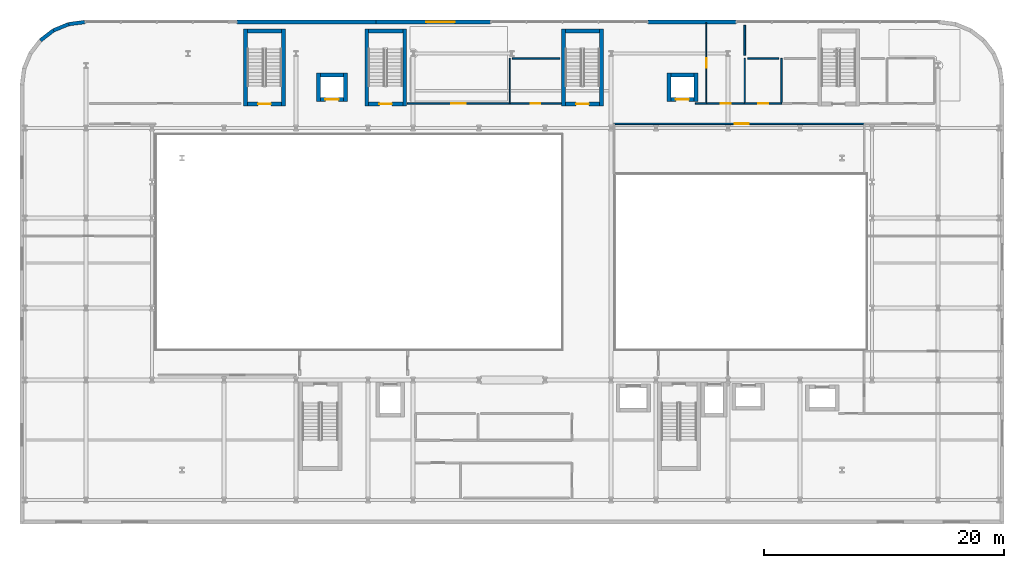
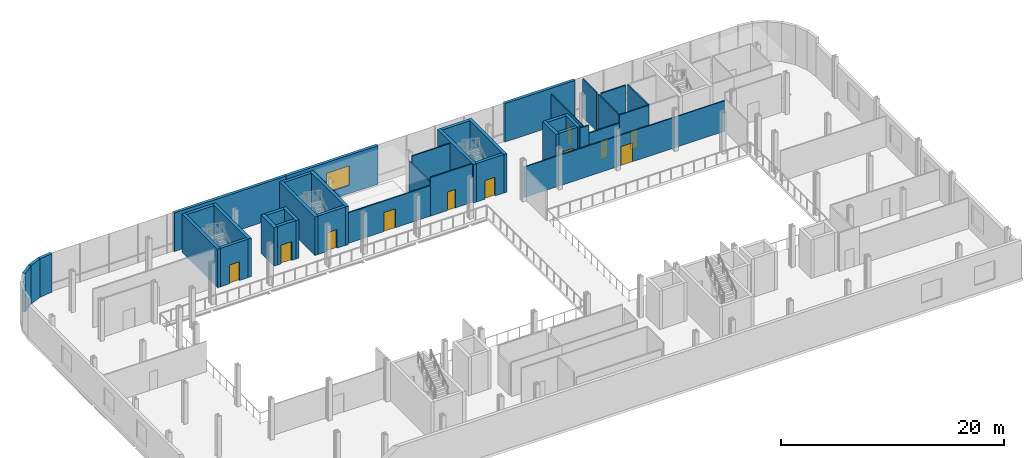
# One storey, part 18 of 25: 39 walls, 11 doors, 1 window, 12 openings.
"""IFC4 building model written with IfcOpenShell, lengths in metres."""

import ifcopenshell
import ifcopenshell.guid

model = None  # the IFC model being written
_history = None  # IfcOwnerHistory: only IFC2X3 demands one
_inside = {}  # id of a spatial element -> (the spatial element, [elements in it])
_under = {}  # id of a project, library or spatial element -> (it, [spatial elements below it])
_declared = {}  # id of a project -> (the project, [libraries it declares])
_typed = {}  # id of a type object -> (the type object, [elements of that type])
_made_of = {}  # id of a material, layer set ... -> (it, [elements and type objects made of it])


def new_model(schema):
    """Start an empty IFC model of exactly this schema.

    Asked for "IFC4X3", IfcOpenShell would pick the latest addendum, in which some entities
    have other attributes; the version numbers below select the first issue.
    IFC2X3 requires an IfcOwnerHistory on every rooted entity: one is made here for all.
    """
    global model, _history
    if schema == "IFC4X3":
        model = ifcopenshell.file(schema_version=(4, 3, 0, 0))
    else:
        model = ifcopenshell.file(schema=schema)
    _inside.clear()
    _under.clear()
    _declared.clear()
    _typed.clear()
    _made_of.clear()
    _history = None
    if model.schema == "IFC2X3":
        org = make("IfcOrganization", Name="unknown")
        user = make(
            "IfcPersonAndOrganization",
            ThePerson=make("IfcPerson", FamilyName="unknown"),
            TheOrganization=org,
        )
        app = make(
            "IfcApplication",
            ApplicationDeveloper=org,
            Version="unknown",
            ApplicationFullName="unknown",
            ApplicationIdentifier="unknown",
        )
        _history = make(
            "IfcOwnerHistory",
            OwningUser=user,
            OwningApplication=app,
            ChangeAction="ADDED",
            CreationDate=0,
        )
    return model


def make(cls, **values):
    """One entity of the class cls with the attributes given. An attribute that is None is left unset."""
    return model.create_entity(
        cls, **{name: value for name, value in values.items() if value is not None}
    )


def rooted(cls, **values):
    """An entity with a GlobalId (a new one), such as an element, a storey or a relation."""
    return make(cls, GlobalId=ifcopenshell.guid.new(), OwnerHistory=_history, **values)


def si_unit(unit_type, name, prefix=None):
    """IfcSIUnit, for example si_unit("LENGTHUNIT", "METRE", prefix="MILLI")."""
    return make("IfcSIUnit", UnitType=unit_type, Prefix=prefix, Name=name)


def assignment(units):
    """IfcUnitAssignment: the units of a project."""
    return None if units is None else make("IfcUnitAssignment", Units=units)


def point(xyz):
    """IfcCartesianPoint."""
    return None if xyz is None else make("IfcCartesianPoint", Coordinates=xyz)


def direction(xyz):
    """IfcDirection."""
    return None if xyz is None else make("IfcDirection", DirectionRatios=xyz)


def frame(location, z_axis=None, x_axis=None):
    """IfcAxis2Placement3D, a coordinate frame: its origin and axes. An axis left out is left unset."""
    return make(
        "IfcAxis2Placement3D",
        Location=point(location),
        Axis=direction(z_axis),
        RefDirection=direction(x_axis),
    )


def frame_2d(location, x_axis=None):
    """IfcAxis2Placement2D, a coordinate frame in the plane: its origin and x axis."""
    return make(
        "IfcAxis2Placement2D", Location=point(location), RefDirection=direction(x_axis)
    )


def origin():
    """The frame at (0, 0, 0) with its axes left unset."""
    return frame((0.0, 0.0, 0.0))


def place(relative_to, where):
    """IfcLocalPlacement: puts the frame where relative to a parent placement (None: the world)."""
    return make(
        "IfcLocalPlacement", PlacementRelTo=relative_to, RelativePlacement=where
    )


def context(
    kind, dimensions, precision=None, world=None, true_north=None, identifier=None
):
    """IfcGeometricRepresentationContext, for example the 3D "Model" context."""
    return make(
        "IfcGeometricRepresentationContext",
        ContextIdentifier=identifier,
        ContextType=kind,
        CoordinateSpaceDimension=dimensions,
        Precision=precision,
        WorldCoordinateSystem=world,
        TrueNorth=true_north,
    )


def subcontext(parent, identifier, kind, view, scale=None):
    """IfcGeometricRepresentationSubContext, for example "Body" below "Model"."""
    return make(
        "IfcGeometricRepresentationSubContext",
        ContextIdentifier=identifier,
        ContextType=kind,
        ParentContext=parent,
        TargetScale=scale,
        TargetView=view,
    )


def project(units=None, contexts=None):
    """IfcProject with its units and contexts."""
    return rooted(
        "IfcProject",
        Name="project",
        RepresentationContexts=contexts,
        UnitsInContext=assignment(units),
    )


def spatial(cls, under=None, at=None, **own):
    """A site, building, storey or space (cls), placed at a placement, below another one or the project."""
    s = rooted(cls, ObjectPlacement=at, **own)
    if under is not None:
        _under.setdefault(under.id(), (under, []))[1].append(s)
    return s


def profile(cls, at=None, kind="AREA", **sizes):
    """A parametric profile (cls). Its sizes go by their IFC names, for example OverallWidth=200.0."""
    return make(cls, ProfileType=kind, Position=at, **sizes)


def rectangle(**sizes):
    """IfcRectangleProfileDef."""
    return profile("IfcRectangleProfileDef", **sizes)


def extrude(swept, where, along, depth):
    """IfcExtrudedAreaSolid: the profile swept, set in the frame where, extruded along a direction by depth."""
    return make(
        "IfcExtrudedAreaSolid",
        SweptArea=swept,
        Position=where,
        ExtrudedDirection=direction(along),
        Depth=depth,
    )


def shape(context_of_items, identifier, shape_type, items):
    """IfcShapeRepresentation: the items that make up one representation, for example the "Body"."""
    return make(
        "IfcShapeRepresentation",
        ContextOfItems=context_of_items,
        RepresentationIdentifier=identifier,
        RepresentationType=shape_type,
        Items=items,
    )


def material(Name=None, Category=None):
    """IfcMaterial."""
    return make("IfcMaterial", Name=Name, Category=Category)


def layer(
    of_material, thickness, ventilated=None, Name=None, Category=None, Priority=None
):
    """IfcMaterialLayer: one layer of a wall or slab, of a material (None: an air gap)."""
    return make(
        "IfcMaterialLayer",
        Material=of_material,
        LayerThickness=thickness,
        IsVentilated=ventilated,
        Name=Name,
        Category=Category,
        Priority=Priority,
    )


def layer_set(layers, Name=None):
    """IfcMaterialLayerSet."""
    return make("IfcMaterialLayerSet", MaterialLayers=layers, LayerSetName=Name)


def made_of(thing, what):
    """Note that an element or type object is made of a material, layer set ...; save() writes the relation."""
    if what is not None:
        _made_of.setdefault(what.id(), (what, []))[1].append(thing)
    return thing


def type_object(cls, material=None, **own):
    """A type object (cls), such as IfcWallType, which elements share."""
    return made_of(rooted(cls, **own), material)


def element(
    cls,
    number,
    at=None,
    inside=None,
    cuts=None,
    type_object=None,
    material=None,
    context=None,
    identifier="Body",
    shape_type=None,
    held_by="IfcProductDefinitionShape",
    body=None,
    shapes=None,
    **own,
):
    """One element of the class cls, such as IfcWall. Its Tag is "e" and its number.

    at: its placement. inside: the storey or other place that contains it. cuts: it is an
    opening in that element (IfcRelVoidsElement). A single representation is given by context,
    identifier, shape_type and body (its items); several are given by shapes. held_by: the class
    of the entity that holds the representations. save() writes the other relations.
    """
    e = rooted(cls, Tag="e%d" % number, ObjectPlacement=at, **own)
    if body is not None:
        shapes = [shape(context, identifier, shape_type, body)]
    if shapes is not None:
        e.Representation = make(held_by, Representations=shapes)
    if inside is not None:
        _inside.setdefault(inside.id(), (inside, []))[1].append(e)
    if cuts is not None:
        rooted(
            "IfcRelVoidsElement", RelatingBuildingElement=cuts, RelatedOpeningElement=e
        )
    if type_object is not None:
        _typed.setdefault(type_object.id(), (type_object, []))[1].append(e)
    return made_of(e, material)


def fill(opening, filler):
    """IfcRelFillsElement: the door or window that sits in an opening."""
    return rooted(
        "IfcRelFillsElement",
        RelatingOpeningElement=opening,
        RelatedBuildingElement=filler,
    )


def aggregate(whole, parts):
    """IfcRelAggregates: a whole, such as a stair, and the parts it consists of."""
    return rooted("IfcRelAggregates", RelatingObject=whole, RelatedObjects=parts)


def save(model, path):
    """Write the relations noted so far, then the file.

    IfcRelAggregates (storeys below a building ...), IfcRelContainedInSpatialStructure (elements
    in a storey), IfcRelDefinesByType, IfcRelAssociatesMaterial and IfcRelDeclares: one each for
    every whole, place, type object, material and project.
    """
    for whole, parts in _under.values():
        aggregate(whole, parts)
    for where, things in _inside.values():
        rooted(
            "IfcRelContainedInSpatialStructure",
            RelatedElements=things,
            RelatingStructure=where,
        )
    for kind, things in _typed.values():
        rooted("IfcRelDefinesByType", RelatedObjects=things, RelatingType=kind)
    for what, things in _made_of.values():
        rooted("IfcRelAssociatesMaterial", RelatedObjects=things, RelatingMaterial=what)
    for by, libraries in _declared.values():
        rooted("IfcRelDeclares", RelatingContext=by, RelatedDefinitions=libraries)
    model.write(path)


model = new_model("IFC4")

# Units and contexts
model_context = context("Model", 3, precision=1e-05, world=origin(), true_north=direction((0.0, 1.0)))
body_context = subcontext(model_context, "Body", "Model", "MODEL_VIEW")
ifc_project = project(units=[si_unit("LENGTHUNIT", "METRE"), si_unit("AREAUNIT", "SQUARE_METRE"), si_unit("VOLUMEUNIT", "CUBIC_METRE"), si_unit("PLANEANGLEUNIT", "RADIAN"), si_unit("MASSUNIT", "GRAM", prefix="KILO")], contexts=[model_context])

# Site, building, storey
site_placement = place(None, origin())
site = spatial("IfcSite", under=ifc_project, at=site_placement, CompositionType="ELEMENT")
building_placement = place(site_placement, origin())
building = spatial("IfcBuilding", under=site, at=building_placement, Name="Brevholm Reach", CompositionType="ELEMENT")
storey_placement = place(building_placement, frame((0.0, 0.0, 9.0)))
storey = spatial("IfcBuildingStorey", under=building, at=storey_placement, Name="L02", CompositionType="ELEMENT", Elevation=9.0)

# Walls
ifc_material_1 = material(Name="Concrete C60/75", Category="concrete")
ifc_layer_1 = layer(ifc_material_1, 0.320068359375)
ifc_layer_set_1 = layer_set([ifc_layer_1], Name="Concrete C60/75")
wall_type_1 = type_object("IfcWallType", Name="WAL-COR-320", PredefinedType="SHEAR", material=ifc_layer_set_1)
for number, where, z_axis, x_axis, name in (
    (1, (7.7900390625, 32.830078125, 0.0), (0.0, 0.0, 1.0), (0.0, 1.0, 0.0), "L02 Escape Stair ST-S1 Core Wall W"),
    (2, (10.9599609375, 32.830078125, 0.0), (0.0, 0.0, 1.0), (0.0, 1.0, 0.0), "L02 Escape Stair ST-S1 Core Wall E"),
):
    element("IfcWall", number, at=place(storey_placement, frame(where, z_axis=z_axis, x_axis=x_axis)), inside=storey, type_object=wall_type_1, Name=name, PredefinedType="SHEAR", context=body_context, shape_type="SweptSolid", body=[
        extrude(rectangle(XDim=6.419921875, YDim=0.320068359375, at=frame_2d((3.2099609375, 0.0))), origin(), (0.0, 0.0, 1.0), 4.219970703125),
    ])

# Wall, opening, door
wall_1_placement = place(storey_placement, frame((7.949951171875, 32.989990234375, 0.0), z_axis=(0.0, 0.0, 1.0), x_axis=(1.0, 0.0, 0.0)))
wall_1 = element("IfcWall", 3, at=wall_1_placement, inside=storey, type_object=wall_type_1, Name="L02 Escape Stair ST-S1 Core Wall S", PredefinedType="SHEAR", context=body_context, shape_type="SweptSolid", body=[
    extrude(rectangle(XDim=2.85009765625, YDim=0.320068359375, at=frame_2d((1.425048828125, 0.0))), origin(), (0.0, 0.0, 1.0), 4.219970703125),
])
opening_1_placement = place(wall_1_placement, frame((0.89990234375, 0.0, 0.0)))
opening_1 = element("IfcOpeningElement", 4, at=opening_1_placement, cuts=wall_1, Name="Opening SD-ST-S1", PredefinedType="OPENING", context=body_context, shape_type="SweptSolid", body=[
    extrude(rectangle(XDim=1.050048828125, YDim=2.06005859375, at=frame_2d((0.52490234375, 1.030029296875))), frame((0.0, 0.169921875, 0.0), z_axis=(0.0, -1.0, 0.0), x_axis=(1.0, 0.0, 0.0)), (0.0, 0.0, 1.0), 0.340087890625),
])
ifc_material_2 = material(Name="Hardwood-Lipped Steel-Core Fire and Smoke Door", Category="steel")
door_type_1 = type_object("IfcDoorType", Name="DOR-INT-FD60S", OperationType="NOTDEFINED", PredefinedType="DOOR", material=ifc_material_2)
door_1_placement = place(opening_1_placement, origin())
door_1 = element("IfcDoor", 5, at=door_1_placement, inside=storey, type_object=door_type_1, Name="L02 Protected Stair ST-S1 Lobby Door", OperationType="SINGLE_SWING_LEFT", OverallHeight=2.06005859375, OverallWidth=1.050048828125, PredefinedType="DOOR", context=body_context, shape_type="SweptSolid", body=[
    extrude(rectangle(XDim=1.050048828125, YDim=2.06005859375, at=frame_2d((0.52490234375, 1.030029296875))), frame((0.0, 0.02490234375, 0.0), z_axis=(0.0, -1.0, 0.0), x_axis=(1.0, 0.0, 0.0)), (0.0, 0.0, 1.0), 0.050048828125),
])
fill(opening_1, door_1)

# Walls
wall_2_placement = place(storey_placement, frame((10.800048828125, 39.090087890625, 0.0), z_axis=(0.0, 0.0, 1.0), x_axis=(-1.0, 0.0, 0.0)))
element("IfcWall", 6, at=wall_2_placement, inside=storey, type_object=wall_type_1, Name="L02 Escape Stair ST-S1 Core Wall N", PredefinedType="SHEAR", context=body_context, shape_type="SweptSolid", body=[
    extrude(rectangle(XDim=2.85009765625, YDim=0.320068359375, at=frame_2d((1.425048828125, 0.0))), origin(), (0.0, 0.0, 1.0), 4.219970703125),
])
for number, where, z_axis, x_axis, name in (
    (7, (17.889892578125, 32.830078125, 0.0), (0.0, 0.0, 1.0), (0.0, 1.0, 0.0), "L02 Escape Stair ST-S2 Core Wall W"),
    (8, (21.06005859375, 32.830078125, 0.0), (0.0, 0.0, 1.0), (0.0, 1.0, 0.0), "L02 Escape Stair ST-S2 Core Wall E"),
):
    element("IfcWall", number, at=place(storey_placement, frame(where, z_axis=z_axis, x_axis=x_axis)), inside=storey, type_object=wall_type_1, Name=name, PredefinedType="SHEAR", context=body_context, shape_type="SweptSolid", body=[
        extrude(rectangle(XDim=6.419921875, YDim=0.320068359375, at=frame_2d((3.2099609375, 0.0))), origin(), (0.0, 0.0, 1.0), 4.219970703125),
    ])

# Wall, opening, door
wall_3_placement = place(storey_placement, frame((18.050048828125, 32.989990234375, 0.0), z_axis=(0.0, 0.0, 1.0), x_axis=(1.0, 0.0, 0.0)))
wall_3 = element("IfcWall", 9, at=wall_3_placement, inside=storey, type_object=wall_type_1, Name="L02 Escape Stair ST-S2 Core Wall S", PredefinedType="SHEAR", context=body_context, shape_type="SweptSolid", body=[
    extrude(rectangle(XDim=2.849853515625, YDim=0.320068359375, at=frame_2d((1.4248046875, 0.0))), origin(), (0.0, 0.0, 1.0), 4.219970703125),
])
opening_2_placement = place(wall_3_placement, frame((0.89990234375, 0.0, 0.0)))
opening_2 = element("IfcOpeningElement", 10, at=opening_2_placement, cuts=wall_3, Name="Opening SD-ST-S2", PredefinedType="OPENING", context=body_context, shape_type="SweptSolid", body=[
    extrude(rectangle(XDim=1.050048828125, YDim=2.06005859375, at=frame_2d((0.52490234375, 1.030029296875))), frame((0.0, 0.169921875, 0.0), z_axis=(0.0, -1.0, 0.0), x_axis=(1.0, 0.0, 0.0)), (0.0, 0.0, 1.0), 0.340087890625),
])
door_2_placement = place(opening_2_placement, origin())
door_2 = element("IfcDoor", 11, at=door_2_placement, inside=storey, type_object=door_type_1, Name="L02 Protected Stair ST-S2 Lobby Door", OperationType="SINGLE_SWING_LEFT", OverallHeight=2.06005859375, OverallWidth=1.050048828125, PredefinedType="DOOR", context=body_context, shape_type="SweptSolid", body=[
    extrude(rectangle(XDim=1.050048828125, YDim=2.06005859375, at=frame_2d((0.52490234375, 1.030029296875))), frame((0.0, 0.02490234375, 0.0), z_axis=(0.0, -1.0, 0.0), x_axis=(1.0, 0.0, 0.0)), (0.0, 0.0, 1.0), 0.050048828125),
])
fill(opening_2, door_2)

# Walls
wall_4_placement = place(storey_placement, frame((20.89990234375, 39.090087890625, 0.0), z_axis=(0.0, 0.0, 1.0), x_axis=(-1.0, 0.0, 0.0)))
element("IfcWall", 12, at=wall_4_placement, inside=storey, type_object=wall_type_1, Name="L02 Escape Stair ST-S2 Core Wall N", PredefinedType="SHEAR", context=body_context, shape_type="SweptSolid", body=[
    extrude(rectangle(XDim=2.849853515625, YDim=0.320068359375, at=frame_2d((1.4248046875, 0.0))), origin(), (0.0, 0.0, 1.0), 4.219970703125),
])
for number, where, z_axis, x_axis, name in (
    (13, (34.2900390625, 32.830078125, 0.0), (0.0, 0.0, 1.0), (0.0, 1.0, 0.0), "L02 Escape Stair ST-S3 Core Wall W"),
    (14, (37.4599609375, 32.830078125, 0.0), (0.0, 0.0, 1.0), (0.0, 1.0, 0.0), "L02 Escape Stair ST-S3 Core Wall E"),
):
    element("IfcWall", number, at=place(storey_placement, frame(where, z_axis=z_axis, x_axis=x_axis)), inside=storey, type_object=wall_type_1, Name=name, PredefinedType="SHEAR", context=body_context, shape_type="SweptSolid", body=[
        extrude(rectangle(XDim=6.419921875, YDim=0.320068359375, at=frame_2d((3.2099609375, 0.0))), origin(), (0.0, 0.0, 1.0), 4.219970703125),
    ])

# Wall, opening, door
wall_5_placement = place(storey_placement, frame((34.449951171875, 32.989990234375, 0.0), z_axis=(0.0, 0.0, 1.0), x_axis=(1.0, 0.0, 0.0)))
wall_5 = element("IfcWall", 15, at=wall_5_placement, inside=storey, type_object=wall_type_1, Name="L02 Escape Stair ST-S3 Core Wall S", PredefinedType="SHEAR", context=body_context, shape_type="SweptSolid", body=[
    extrude(rectangle(XDim=2.85009765625, YDim=0.320068359375, at=frame_2d((1.425048828125, 0.0))), origin(), (0.0, 0.0, 1.0), 4.219970703125),
])
opening_3_placement = place(wall_5_placement, frame((0.89990234375, 0.0, 0.0)))
opening_3 = element("IfcOpeningElement", 16, at=opening_3_placement, cuts=wall_5, Name="Opening SD-ST-S3", PredefinedType="OPENING", context=body_context, shape_type="SweptSolid", body=[
    extrude(rectangle(XDim=1.050048828125, YDim=2.06005859375, at=frame_2d((0.52490234375, 1.030029296875))), frame((0.0, 0.169921875, 0.0), z_axis=(0.0, -1.0, 0.0), x_axis=(1.0, 0.0, 0.0)), (0.0, 0.0, 1.0), 0.340087890625),
])
door_3_placement = place(opening_3_placement, origin())
door_3 = element("IfcDoor", 17, at=door_3_placement, inside=storey, type_object=door_type_1, Name="L02 Protected Stair ST-S3 Lobby Door", OperationType="SINGLE_SWING_LEFT", OverallHeight=2.06005859375, OverallWidth=1.050048828125, PredefinedType="DOOR", context=body_context, shape_type="SweptSolid", body=[
    extrude(rectangle(XDim=1.050048828125, YDim=2.06005859375, at=frame_2d((0.52490234375, 1.030029296875))), frame((0.0, 0.02490234375, 0.0), z_axis=(0.0, -1.0, 0.0), x_axis=(1.0, 0.0, 0.0)), (0.0, 0.0, 1.0), 0.050048828125),
])
fill(opening_3, door_3)

# Walls
wall_6_placement = place(storey_placement, frame((37.300048828125, 39.090087890625, 0.0), z_axis=(0.0, 0.0, 1.0), x_axis=(-1.0, 0.0, 0.0)))
element("IfcWall", 18, at=wall_6_placement, inside=storey, type_object=wall_type_1, Name="L02 Escape Stair ST-S3 Core Wall N", PredefinedType="SHEAR", context=body_context, shape_type="SweptSolid", body=[
    extrude(rectangle(XDim=2.85009765625, YDim=0.320068359375, at=frame_2d((1.425048828125, 0.0))), origin(), (0.0, 0.0, 1.0), 4.219970703125),
])
for number, where, z_axis, x_axis, name in (
    (19, (13.8798828125, 33.219970703125, 0.0), (0.0, 0.0, 1.0), (0.0, 1.0, 0.0), "L02 Lift SL-1 Shaft Wall W"),
    (20, (16.1201171875, 33.219970703125, 0.0), (0.0, 0.0, 1.0), (0.0, 1.0, 0.0), "L02 Lift SL-1 Shaft Wall E"),
):
    element("IfcWall", number, at=place(storey_placement, frame(where, z_axis=z_axis, x_axis=x_axis)), inside=storey, type_object=wall_type_1, Name=name, PredefinedType="SHEAR", context=body_context, shape_type="SweptSolid", body=[
        extrude(rectangle(XDim=2.360107421875, YDim=0.320068359375, at=frame_2d((1.18017578125, 0.0))), origin(), (0.0, 0.0, 1.0), 4.219970703125),
    ])

# Wall, opening, door
wall_7_placement = place(storey_placement, frame((14.0400390625, 33.3798828125, 0.0), z_axis=(0.0, 0.0, 1.0), x_axis=(1.0, 0.0, 0.0)))
wall_7 = element("IfcWall", 21, at=wall_7_placement, inside=storey, type_object=wall_type_1, Name="L02 Lift SL-1 Shaft Wall S", PredefinedType="SHEAR", context=body_context, shape_type="SweptSolid", body=[
    extrude(rectangle(XDim=1.919921875, YDim=0.320068359375, at=frame_2d((0.9599609375, 0.0))), origin(), (0.0, 0.0, 1.0), 4.219970703125),
])
opening_4_placement = place(wall_7_placement, frame((0.409912109375, 0.0, 0.0)))
opening_4 = element("IfcOpeningElement", 22, at=opening_4_placement, cuts=wall_7, Name="Opening LD-SL-1", PredefinedType="OPENING", context=body_context, shape_type="SweptSolid", body=[
    extrude(rectangle(XDim=1.10009765625, YDim=2.06005859375, at=frame_2d((0.550048828125, 1.030029296875))), frame((0.0, 0.169921875, 0.0), z_axis=(0.0, -1.0, 0.0), x_axis=(1.0, 0.0, 0.0)), (0.0, 0.0, 1.0), 0.340087890625),
])
ifc_material_3 = material(Name="Brushed Stainless Steel Fire-Rated Sliding Lift Door", Category="steel")
door_type_2 = type_object("IfcDoorType", Name="DOR-LFT-1100", OperationType="NOTDEFINED", PredefinedType="DOOR", material=ifc_material_3)
door_4_placement = place(opening_4_placement, origin())
door_4 = element("IfcDoor", 23, at=door_4_placement, inside=storey, type_object=door_type_2, Name="L02 Lift SL-1 Sliding Landing Door", OperationType="SLIDING_TO_RIGHT", OverallHeight=2.06005859375, OverallWidth=1.10009765625, PredefinedType="DOOR", context=body_context, shape_type="SweptSolid", body=[
    extrude(rectangle(XDim=1.10009765625, YDim=2.06005859375, at=frame_2d((0.550048828125, 1.030029296875))), frame((0.0, 0.02490234375, 0.0), z_axis=(0.0, -1.0, 0.0), x_axis=(1.0, 0.0, 0.0)), (0.0, 0.0, 1.0), 0.050048828125),
])
fill(opening_4, door_4)

# Walls
wall_8_placement = place(storey_placement, frame((14.0400390625, 35.419921875, 0.0), z_axis=(0.0, 0.0, 1.0), x_axis=(1.0, 0.0, 0.0)))
element("IfcWall", 24, at=wall_8_placement, inside=storey, type_object=wall_type_1, Name="L02 Lift SL-1 Shaft Wall N", PredefinedType="SHEAR", context=body_context, shape_type="SweptSolid", body=[
    extrude(rectangle(XDim=1.919921875, YDim=0.320068359375, at=frame_2d((0.9599609375, 0.0))), origin(), (0.0, 0.0, 1.0), 4.219970703125),
])
for number, where, z_axis, x_axis, name in (
    (25, (43.080078125, 33.219970703125, 0.0), (0.0, 0.0, 1.0), (0.0, 1.0, 0.0), "L02 Lift SL-2 Shaft Wall W"),
    (26, (45.320068359375, 33.219970703125, 0.0), (0.0, 0.0, 1.0), (0.0, 1.0, 0.0), "L02 Lift SL-2 Shaft Wall E"),
):
    element("IfcWall", number, at=place(storey_placement, frame(where, z_axis=z_axis, x_axis=x_axis)), inside=storey, type_object=wall_type_1, Name=name, PredefinedType="SHEAR", context=body_context, shape_type="SweptSolid", body=[
        extrude(rectangle(XDim=2.360107421875, YDim=0.320068359375, at=frame_2d((1.18017578125, 0.0))), origin(), (0.0, 0.0, 1.0), 4.219970703125),
    ])

# Wall, opening, door
wall_9_placement = place(storey_placement, frame((43.239990234375, 33.3798828125, 0.0), z_axis=(0.0, 0.0, 1.0), x_axis=(1.0, 0.0, 0.0)))
wall_9 = element("IfcWall", 27, at=wall_9_placement, inside=storey, type_object=wall_type_1, Name="L02 Lift SL-2 Shaft Wall S", PredefinedType="SHEAR", context=body_context, shape_type="SweptSolid", body=[
    extrude(rectangle(XDim=1.919921875, YDim=0.320068359375, at=frame_2d((0.9599609375, 0.0))), origin(), (0.0, 0.0, 1.0), 4.219970703125),
])
opening_5_placement = place(wall_9_placement, frame((0.409912109375, 0.0, 0.0)))
opening_5 = element("IfcOpeningElement", 28, at=opening_5_placement, cuts=wall_9, Name="Opening LD-SL-2", PredefinedType="OPENING", context=body_context, shape_type="SweptSolid", body=[
    extrude(rectangle(XDim=1.10009765625, YDim=2.06005859375, at=frame_2d((0.550048828125, 1.030029296875))), frame((0.0, 0.169921875, 0.0), z_axis=(0.0, -1.0, 0.0), x_axis=(1.0, 0.0, 0.0)), (0.0, 0.0, 1.0), 0.340087890625),
])
door_5_placement = place(opening_5_placement, origin())
door_5 = element("IfcDoor", 29, at=door_5_placement, inside=storey, type_object=door_type_2, Name="L02 Lift SL-2 Sliding Landing Door", OperationType="SLIDING_TO_LEFT", OverallHeight=2.06005859375, OverallWidth=1.10009765625, PredefinedType="DOOR", context=body_context, shape_type="SweptSolid", body=[
    extrude(rectangle(XDim=1.10009765625, YDim=2.06005859375, at=frame_2d((0.550048828125, 1.030029296875))), frame((0.0, 0.02490234375, 0.0), z_axis=(0.0, -1.0, 0.0), x_axis=(1.0, 0.0, 0.0)), (0.0, 0.0, 1.0), 0.050048828125),
])
fill(opening_5, door_5)

# Walls
wall_10_placement = place(storey_placement, frame((43.239990234375, 35.419921875, 0.0), z_axis=(0.0, 0.0, 1.0), x_axis=(1.0, 0.0, 0.0)))
element("IfcWall", 30, at=wall_10_placement, inside=storey, type_object=wall_type_1, Name="L02 Lift SL-2 Shaft Wall N", PredefinedType="SHEAR", context=body_context, shape_type="SweptSolid", body=[
    extrude(rectangle(XDim=1.919921875, YDim=0.320068359375, at=frame_2d((0.9599609375, 0.0))), origin(), (0.0, 0.0, 1.0), 4.219970703125),
])
ifc_material_4 = material(Name="Concrete C40/50", Category="concrete")
ifc_layer_2 = layer(ifc_material_4, 0.300048828125)
ifc_layer_set_2 = layer_set([ifc_layer_2], Name="Concrete C40/50")
wall_type_2 = type_object("IfcWallType", Name="WAL-EXT-300", PredefinedType="STANDARD", material=ifc_layer_set_2)
wall_11_placement = place(storey_placement, frame((-9.298095703125, 38.298095703125, 0.0), z_axis=(0.0, 0.0, 1.0), x_axis=(0.793255091989, 0.6088894473, 0.0)))
element("IfcWall", 31, at=wall_11_placement, inside=storey, type_object=wall_type_2, Name="L02 Facade Wall WAL-L02-NWP-4", PredefinedType="STANDARD", context=body_context, shape_type="SweptSolid", body=[
    extrude(rectangle(XDim=1.365234375, YDim=0.300048828125, at=frame_2d((0.6826171875, 0.0))), origin(), (0.0, 0.0, 1.0), 4.219970703125),
])
wall_12_placement = place(storey_placement, frame((-8.215087890625, 39.12939453125, 0.0), z_axis=(0.0, 0.0, 1.0), x_axis=(0.923894797396, 0.382646577594, 0.0)))
element("IfcWall", 32, at=wall_12_placement, inside=storey, type_object=wall_type_2, Name="L02 Facade Wall WAL-L02-NWP-5", PredefinedType="STANDARD", context=body_context, shape_type="SweptSolid", body=[
    extrude(rectangle(XDim=1.365478515625, YDim=0.300048828125, at=frame_2d((0.6826171875, 0.0))), origin(), (0.0, 0.0, 1.0), 4.219970703125),
])
wall_13_placement = place(storey_placement, frame((-6.95361328125, 39.65185546875, 0.0), z_axis=(0.0, 0.0, 1.0), x_axis=(0.991442117533, 0.13054703207, 0.0)))
element("IfcWall", 33, at=wall_13_placement, inside=storey, type_object=wall_type_2, Name="L02 Facade Wall WAL-L02-NWP-6", PredefinedType="STANDARD", context=body_context, shape_type="SweptSolid", body=[
    extrude(rectangle(XDim=1.365234375, YDim=0.300048828125, at=frame_2d((0.6826171875, 0.0))), origin(), (0.0, 0.0, 1.0), 4.219970703125),
])
wall_14_placement = place(storey_placement, frame((7.10009765625, 39.830078125, 0.0), z_axis=(0.0, 0.0, 1.0), x_axis=(1.0, 0.0, 0.0)))
element("IfcWall", 34, at=wall_14_placement, inside=storey, type_object=wall_type_2, Name="L02 Facade Wall WAL-L02-NPW", PredefinedType="STANDARD", context=body_context, shape_type="SweptSolid", body=[
    extrude(rectangle(XDim=11.5498046875, YDim=0.300048828125, at=frame_2d((5.77490234375, 0.0))), origin(), (0.0, 0.0, 1.0), 4.219970703125),
])

# Wall, opening, window
wall_15_placement = place(storey_placement, frame((18.64990234375, 39.830078125, 0.0), z_axis=(0.0, 0.0, 1.0), x_axis=(1.0, 0.0, 0.0)))
wall_15 = element("IfcWall", 35, at=wall_15_placement, inside=storey, type_object=wall_type_2, Name="L02 Facade Wall WAL-L02-N-ENT", PredefinedType="STANDARD", context=body_context, shape_type="SweptSolid", body=[
    extrude(rectangle(XDim=9.550048828125, YDim=0.300048828125, at=frame_2d((4.77490234375, 0.0))), origin(), (0.0, 0.0, 1.0), 4.219970703125),
])
opening_6_placement = place(wall_15_placement, frame((4.199951171875, 0.0, 0.89990234375)))
opening_6 = element("IfcOpeningElement", 36, at=opening_6_placement, cuts=wall_15, Name="Opening WN-03", PredefinedType="OPENING", context=body_context, shape_type="SweptSolid", body=[
    extrude(rectangle(XDim=2.39990234375, YDim=2.14990234375, at=frame_2d((1.199951171875, 1.074951171875))), frame((0.0, 0.159912109375, 0.0), z_axis=(0.0, -1.0, 0.0), x_axis=(1.0, 0.0, 0.0)), (0.0, 0.0, 1.0), 0.320068359375),
])
ifc_material_5 = material(Name="Dark Anodised Aluminium and Solar-Control IGU Glass", Category="aluminium")
window_type = type_object("IfcWindowType", Name="WIN-SCH-2400", PartitioningType="SINGLE_PANEL", PredefinedType="WINDOW", material=ifc_material_5)
window_placement = place(opening_6_placement, origin())
window = element("IfcWindow", 37, at=window_placement, inside=storey, type_object=window_type, Name="L02 Window WIN-L02-NC-1", OverallHeight=2.14990234375, OverallWidth=2.39990234375, PartitioningType="SINGLE_PANEL", PredefinedType="WINDOW", context=body_context, shape_type="SweptSolid", body=[
    extrude(rectangle(XDim=2.39990234375, YDim=2.14990234375, at=frame_2d((1.199951171875, 1.074951171875))), frame((0.0, 0.030029296875, 0.0), z_axis=(0.0, -1.0, 0.0), x_axis=(1.0, 0.0, 0.0)), (0.0, 0.0, 1.0), 0.06005859375),
])
fill(opening_6, window)

# Walls
wall_16_placement = place(storey_placement, frame((41.35009765625, 39.830078125, 0.0), z_axis=(0.0, 0.0, 1.0), x_axis=(1.0, 0.0, 0.0)))
element("IfcWall", 38, at=wall_16_placement, inside=storey, type_object=wall_type_2, Name="L02 Facade Wall WAL-L02-NPE", PredefinedType="STANDARD", context=body_context, shape_type="SweptSolid", body=[
    extrude(rectangle(XDim=7.2998046875, YDim=0.300048828125, at=frame_2d((3.64990234375, 0.0))), origin(), (0.0, 0.0, 1.0), 4.219970703125),
])
ifc_material_6 = material(Name="Moisture-Resistant Acoustic Gypsum Stud Partition 100 mm", Category="gypsum")
ifc_layer_3 = layer(ifc_material_6, 0.10009765625)
ifc_layer_set_3 = layer_set([ifc_layer_3], Name="Moisture-Resistant Acoustic Gypsum Stud Partition 100 mm")
wall_type_3 = type_object("IfcWallType", Name="WAL-PRT-100", PredefinedType="PARTITIONING", material=ifc_layer_set_3)
wall_17_placement = place(storey_placement, frame((29.800048828125, 33.053955078125, 0.0), z_axis=(0.0, 0.0, 1.0), x_axis=(0.0, 1.0, 0.0)))
element("IfcWall", 39, at=wall_17_placement, inside=storey, type_object=wall_type_3, Name="L02 Internal Partition 027", PredefinedType="PARTITIONING", context=body_context, shape_type="SweptSolid", body=[
    extrude(rectangle(XDim=3.75732421875, YDim=0.10009765625, at=frame_2d((1.878662109375, 0.0))), origin(), (0.0, 0.0, 1.0), 3.738037109375),
])

# Wall, opening, door
wall_18_placement = place(storey_placement, frame((46.199951171875, 33.053955078125, 0.0), z_axis=(0.0, 0.0, 1.0), x_axis=(0.0, 1.0, 0.0)))
wall_18 = element("IfcWall", 40, at=wall_18_placement, inside=storey, type_object=wall_type_3, Name="L02 Internal Partition 028", PredefinedType="PARTITIONING", context=body_context, shape_type="SweptSolid", body=[
    extrude(rectangle(XDim=6.72607421875, YDim=0.10009765625, at=frame_2d((3.363037109375, 0.0))), origin(), (0.0, 0.0, 1.0), 3.582763671875),
])
opening_7_placement = place(wall_18_placement, frame((2.952880859375, 0.0, 0.0)))
opening_7 = element("IfcOpeningElement", 41, at=opening_7_placement, cuts=wall_18, Name="Opening ID-03", PredefinedType="OPENING", context=body_context, shape_type="SweptSolid", body=[
    extrude(rectangle(XDim=0.820068359375, YDim=2.02001953125, at=frame_2d((0.41015625, 1.010009765625))), frame((0.0, 0.06005859375, 0.0), z_axis=(0.0, -1.0, 0.0), x_axis=(1.0, 0.0, 0.0)), (0.0, 0.0, 1.0), 0.1201171875),
])
ifc_material_7 = material(Name="Moisture-Resistant Painted Timber Internal Bathroom Door", Category="wood")
door_type_3 = type_object("IfcDoorType", Name="DOR-BATH-820", OperationType="NOTDEFINED", PredefinedType="DOOR", material=ifc_material_7)
door_6_placement = place(opening_7_placement, origin())
door_6 = element("IfcDoor", 42, at=door_6_placement, inside=storey, type_object=door_type_3, Name="L02 Access Door 023", OperationType="SINGLE_SWING_LEFT", OverallHeight=2.02001953125, OverallWidth=0.820068359375, PredefinedType="DOOR", context=body_context, shape_type="SweptSolid", body=[
    extrude(rectangle(XDim=0.820068359375, YDim=2.02001953125, at=frame_2d((0.41015625, 1.010009765625))), frame((0.0, 0.02490234375, 0.0), z_axis=(0.0, -1.0, 0.0), x_axis=(1.0, 0.0, 0.0)), (0.0, 0.0, 1.0), 0.050048828125),
])
fill(opening_7, door_6)

# Wall
wall_19_placement = place(storey_placement, frame((49.39990234375, 33.053955078125, 0.0), z_axis=(0.0, 0.0, 1.0), x_axis=(0.0, 1.0, 0.0)))
element("IfcWall", 43, at=wall_19_placement, inside=storey, type_object=wall_type_3, Name="L02 Internal Partition 029", PredefinedType="PARTITIONING", context=body_context, shape_type="SweptSolid", body=[
    extrude(rectangle(XDim=3.75732421875, YDim=0.10009765625, at=frame_2d((1.878662109375, 0.0))), origin(), (0.0, 0.0, 1.0), 4.219970703125),
])

# Wall, opening, door
ifc_material_8 = material(Name="Acoustic Fire-Rated Classroom Gypsum Partition 120 mm", Category="gypsum")
ifc_layer_4 = layer(ifc_material_8, 0.1201171875)
ifc_layer_set_4 = layer_set([ifc_layer_4], Name="Acoustic Fire-Rated Classroom Gypsum Partition 120 mm")
wall_type_4 = type_object("IfcWallType", Name="WAL-PRT-120", PredefinedType="PARTITIONING", material=ifc_layer_set_4)
wall_20_placement = place(storey_placement, frame((21.288818359375, 33.050048828125, 0.0), z_axis=(0.0, 0.0, 1.0), x_axis=(1.0, 0.0, 0.0)))
wall_20 = element("IfcWall", 44, at=wall_20_placement, inside=storey, type_object=wall_type_4, Name="L02 Internal Partition 013", PredefinedType="PARTITIONING", context=body_context, shape_type="SweptSolid", body=[
    extrude(rectangle(XDim=8.5224609375, YDim=0.1201171875, at=frame_2d((4.26123046875, 0.0))), origin(), (0.0, 0.0, 1.0), 3.343994140625),
])
opening_8_placement = place(wall_20_placement, frame((3.661376953125, 0.0, 0.0)))
opening_8 = element("IfcOpeningElement", 45, at=opening_8_placement, cuts=wall_20, Name="Opening ID-SC", PredefinedType="OPENING", context=body_context, shape_type="SweptSolid", body=[
    extrude(rectangle(XDim=1.199951171875, YDim=2.080078125, at=frame_2d((0.60009765625, 1.0400390625))), frame((0.0, 0.070068359375, 0.0), z_axis=(0.0, -1.0, 0.0), x_axis=(1.0, 0.0, 0.0)), (0.0, 0.0, 1.0), 0.14013671875),
])
ifc_material_9 = material(Name="Acoustic European Oak Classroom Vision-Panel Fire Door", Category="timber")
door_type_4 = type_object("IfcDoorType", Name="DOR-SCH-1200", OperationType="NOTDEFINED", PredefinedType="DOOR", material=ifc_material_9)
door_7_placement = place(opening_8_placement, origin())
door_7 = element("IfcDoor", 46, at=door_7_placement, inside=storey, type_object=door_type_4, Name="L02 Internal Door 009", OperationType="SINGLE_SWING_LEFT", OverallHeight=2.080078125, OverallWidth=1.199951171875, PredefinedType="DOOR", context=body_context, shape_type="SweptSolid", body=[
    extrude(rectangle(XDim=1.199951171875, YDim=2.080078125, at=frame_2d((0.60009765625, 1.0400390625))), frame((0.0, 0.02490234375, 0.0), z_axis=(0.0, -1.0, 0.0), x_axis=(1.0, 0.0, 0.0)), (0.0, 0.0, 1.0), 0.050048828125),
])
fill(opening_8, door_7)

wall_21_placement = place(storey_placement, frame((29.792724609375, 33.050048828125, 0.0), z_axis=(0.0, 0.0, 1.0), x_axis=(1.0, 0.0, 0.0)))
wall_21 = element("IfcWall", 47, at=wall_21_placement, inside=storey, type_object=wall_type_4, Name="L02 Internal Partition 014", PredefinedType="PARTITIONING", context=body_context, shape_type="SweptSolid", body=[
    extrude(rectangle(XDim=4.327392578125, YDim=0.1201171875, at=frame_2d((2.16357421875, 0.0))), origin(), (0.0, 0.0, 1.0), 4.219970703125),
])
opening_9_placement = place(wall_21_placement, frame((1.753662109375, 0.0, 0.0)))
opening_9 = element("IfcOpeningElement", 48, at=opening_9_placement, cuts=wall_21, Name="Opening ID-02", PredefinedType="OPENING", context=body_context, shape_type="SweptSolid", body=[
    extrude(rectangle(XDim=0.820068359375, YDim=2.02001953125, at=frame_2d((0.41015625, 1.010009765625))), frame((0.0, 0.070068359375, 0.0), z_axis=(0.0, -1.0, 0.0), x_axis=(1.0, 0.0, 0.0)), (0.0, 0.0, 1.0), 0.14013671875),
])
ifc_material_10 = material(Name="Moisture-Resistant Painted Timber Fire-Rated Riser and Service Door", Category="wood")
door_type_5 = type_object("IfcDoorType", Name="DOR-SRV-820", OperationType="NOTDEFINED", PredefinedType="DOOR", material=ifc_material_10)
door_8_placement = place(opening_9_placement, origin())
door_8 = element("IfcDoor", 49, at=door_8_placement, inside=storey, type_object=door_type_5, Name="L02 Internal Door 010", OperationType="SINGLE_SWING_RIGHT", OverallHeight=2.02001953125, OverallWidth=0.820068359375, PredefinedType="DOOR", context=body_context, shape_type="SweptSolid", body=[
    extrude(rectangle(XDim=0.820068359375, YDim=2.02001953125, at=frame_2d((0.41015625, 1.010009765625))), frame((0.0, 0.02490234375, 0.0), z_axis=(0.0, -1.0, 0.0), x_axis=(1.0, 0.0, 0.0)), (0.0, 0.0, 1.0), 0.050048828125),
])
fill(opening_9, door_8)

# Wall
wall_22_placement = place(storey_placement, frame((45.272705078125, 33.050048828125, 0.0), z_axis=(0.0, 0.0, 1.0), x_axis=(1.0, 0.0, 0.0)))
element("IfcWall", 50, at=wall_22_placement, inside=storey, type_object=wall_type_4, Name="L02 Internal Partition 015", PredefinedType="PARTITIONING", context=body_context, shape_type="SweptSolid", body=[
    extrude(rectangle(XDim=0.9384765625, YDim=0.1201171875, at=frame_2d((0.46923828125, 0.0))), origin(), (0.0, 0.0, 1.0), 4.219970703125),
])

# Wall, opening, door
wall_23_placement = place(storey_placement, frame((46.192626953125, 33.050048828125, 0.0), z_axis=(0.0, 0.0, 1.0), x_axis=(1.0, 0.0, 0.0)))
wall_23 = element("IfcWall", 51, at=wall_23_placement, inside=storey, type_object=wall_type_4, Name="L02 Internal Partition 016", PredefinedType="PARTITIONING", context=body_context, shape_type="SweptSolid", body=[
    extrude(rectangle(XDim=3.21875, YDim=0.1201171875, at=frame_2d((1.609375, 0.0))), origin(), (0.0, 0.0, 1.0), 3.343994140625),
])
opening_10_placement = place(wall_23_placement, frame((1.19921875, 0.0, 0.0)))
opening_10 = element("IfcOpeningElement", 52, at=opening_10_placement, cuts=wall_23, Name="Opening ID-02", PredefinedType="OPENING", context=body_context, shape_type="SweptSolid", body=[
    extrude(rectangle(XDim=0.820068359375, YDim=2.02001953125, at=frame_2d((0.41015625, 1.010009765625))), frame((0.0, 0.070068359375, 0.0), z_axis=(0.0, -1.0, 0.0), x_axis=(1.0, 0.0, 0.0)), (0.0, 0.0, 1.0), 0.14013671875),
])
door_9_placement = place(opening_10_placement, origin())
door_9 = element("IfcDoor", 53, at=door_9_placement, inside=storey, type_object=door_type_5, Name="L02 Internal Door 011", OperationType="SINGLE_SWING_LEFT", OverallHeight=2.02001953125, OverallWidth=0.820068359375, PredefinedType="DOOR", context=body_context, shape_type="SweptSolid", body=[
    extrude(rectangle(XDim=0.820068359375, YDim=2.02001953125, at=frame_2d((0.41015625, 1.010009765625))), frame((0.0, 0.02490234375, 0.0), z_axis=(0.0, -1.0, 0.0), x_axis=(1.0, 0.0, 0.0)), (0.0, 0.0, 1.0), 0.050048828125),
])
fill(opening_10, door_9)

wall_24_placement = place(storey_placement, frame((49.392578125, 33.050048828125, 0.0), z_axis=(0.0, 0.0, 1.0), x_axis=(1.0, 0.0, 0.0)))
wall_24 = element("IfcWall", 54, at=wall_24_placement, inside=storey, type_object=wall_type_4, Name="L02 Internal Partition 017", PredefinedType="PARTITIONING", context=body_context, shape_type="SweptSolid", body=[
    extrude(rectangle(XDim=3.068603515625, YDim=0.1201171875, at=frame_2d((1.5341796875, 0.0))), origin(), (0.0, 0.0, 1.0), 4.219970703125),
])
opening_11_placement = place(wall_24_placement, frame((1.124267578125, 0.0, 0.0)))
opening_11 = element("IfcOpeningElement", 55, at=opening_11_placement, cuts=wall_24, Name="Opening ID-02", PredefinedType="OPENING", context=body_context, shape_type="SweptSolid", body=[
    extrude(rectangle(XDim=0.820068359375, YDim=2.02001953125, at=frame_2d((0.41015625, 1.010009765625))), frame((0.0, 0.070068359375, 0.0), z_axis=(0.0, -1.0, 0.0), x_axis=(1.0, 0.0, 0.0)), (0.0, 0.0, 1.0), 0.14013671875),
])
door_10_placement = place(opening_11_placement, origin())
door_10 = element("IfcDoor", 56, at=door_10_placement, inside=storey, type_object=door_type_5, Name="L02 Internal Door 012", OperationType="SINGLE_SWING_RIGHT", OverallHeight=2.02001953125, OverallWidth=0.820068359375, PredefinedType="DOOR", context=body_context, shape_type="SweptSolid", body=[
    extrude(rectangle(XDim=0.820068359375, YDim=2.02001953125, at=frame_2d((0.41015625, 1.010009765625))), frame((0.0, 0.02490234375, 0.0), z_axis=(0.0, -1.0, 0.0), x_axis=(1.0, 0.0, 0.0)), (0.0, 0.0, 1.0), 0.050048828125),
])
fill(opening_11, door_10)

wall_25_placement = place(storey_placement, frame((38.49267578125, 31.35009765625, 0.0), z_axis=(0.0, 0.0, 1.0), x_axis=(1.0, 0.0, 0.0)))
wall_25 = element("IfcWall", 57, at=wall_25_placement, inside=storey, type_object=wall_type_4, Name="L02 Internal Partition 023", PredefinedType="PARTITIONING", context=body_context, shape_type="SweptSolid", body=[
    extrude(rectangle(XDim=20.86474609375, YDim=0.1201171875, at=frame_2d((10.432373046875, 0.0))), origin(), (0.0, 0.0, 1.0), 3.343994140625),
])
opening_12_placement = place(wall_25_placement, frame((10.05224609375, 0.0, 0.0)))
opening_12 = element("IfcOpeningElement", 58, at=opening_12_placement, cuts=wall_25, Name="Opening ID-SC", PredefinedType="OPENING", context=body_context, shape_type="SweptSolid", body=[
    extrude(rectangle(XDim=1.199951171875, YDim=2.080078125, at=frame_2d((0.60009765625, 1.0400390625))), frame((0.0, 0.070068359375, 0.0), z_axis=(0.0, -1.0, 0.0), x_axis=(1.0, 0.0, 0.0)), (0.0, 0.0, 1.0), 0.14013671875),
])
door_11_placement = place(opening_12_placement, origin())
door_11 = element("IfcDoor", 59, at=door_11_placement, inside=storey, type_object=door_type_4, Name="L02 Internal Door 018", OperationType="SINGLE_SWING_RIGHT", OverallHeight=2.080078125, OverallWidth=1.199951171875, PredefinedType="DOOR", context=body_context, shape_type="SweptSolid", body=[
    extrude(rectangle(XDim=1.199951171875, YDim=2.080078125, at=frame_2d((0.60009765625, 1.0400390625))), frame((0.0, 0.02490234375, 0.0), z_axis=(0.0, -1.0, 0.0), x_axis=(1.0, 0.0, 0.0)), (0.0, 0.0, 1.0), 0.050048828125),
])
fill(opening_12, door_11)

# Walls
wall_26_placement = place(storey_placement, frame((52.449951171875, 33.053955078125, 0.0), z_axis=(0.0, 0.0, 1.0), x_axis=(0.0, 1.0, 0.0)))
element("IfcWall", 60, at=wall_26_placement, inside=storey, type_object=wall_type_4, Name="L02 Internal Partition 030", PredefinedType="PARTITIONING", context=body_context, shape_type="SweptSolid", body=[
    extrude(rectangle(XDim=3.74609375, YDim=0.1201171875, at=frame_2d((1.873046875, 0.0))), origin(), (0.0, 0.0, 1.0), 4.219970703125),
])
ifc_material_11 = material(Name="Twin-Stud Acoustic Fire-Rated Gypsum Partition 140 mm", Category="gypsum")
ifc_layer_5 = layer(ifc_material_11, 0.139892578125)
ifc_layer_set_5 = layer_set([ifc_layer_5], Name="Twin-Stud Acoustic Fire-Rated Gypsum Partition 140 mm")
wall_type_5 = type_object("IfcWallType", Name="WAL-PRT-140", PredefinedType="PARTITIONING", material=ifc_layer_set_5)
wall_27_placement = place(storey_placement, frame((30.0400390625, 36.800048828125, 0.0), z_axis=(0.0, 0.0, 1.0), x_axis=(1.0, 0.0, 0.0)))
element("IfcWall", 61, at=wall_27_placement, inside=storey, type_object=wall_type_5, Name="L02 Internal Partition 045", PredefinedType="PARTITIONING", context=body_context, shape_type="SweptSolid", body=[
    extrude(rectangle(XDim=3.93994140625, YDim=0.139892578125, at=frame_2d((1.969970703125, 0.0))), origin(), (0.0, 0.0, 1.0), 4.219970703125),
])
wall_28_placement = place(storey_placement, frame((49.39990234375, 37.05126953125, 0.0), z_axis=(0.0, 0.0, 1.0), x_axis=(0.0, 1.0, 0.0)))
element("IfcWall", 62, at=wall_28_placement, inside=storey, type_object=wall_type_5, Name="L02 Internal Partition 046", PredefinedType="PARTITIONING", context=body_context, shape_type="SweptSolid", body=[
    extrude(rectangle(XDim=2.498779296875, YDim=0.139892578125, at=frame_2d((1.24951171875, 0.0))), origin(), (0.0, 0.0, 1.0), 4.219970703125),
])
wall_29_placement = place(storey_placement, frame((49.639892578125, 36.800048828125, 0.0), z_axis=(0.0, 0.0, 1.0), x_axis=(1.0, 0.0, 0.0)))
element("IfcWall", 63, at=wall_29_placement, inside=storey, type_object=wall_type_5, Name="L02 Internal Partition 047", PredefinedType="PARTITIONING", context=body_context, shape_type="SweptSolid", body=[
    extrude(rectangle(XDim=2.570068359375, YDim=0.139892578125, at=frame_2d((1.28515625, 0.0))), origin(), (0.0, 0.0, 1.0), 4.219970703125),
])

save(model, "model.ifc")
